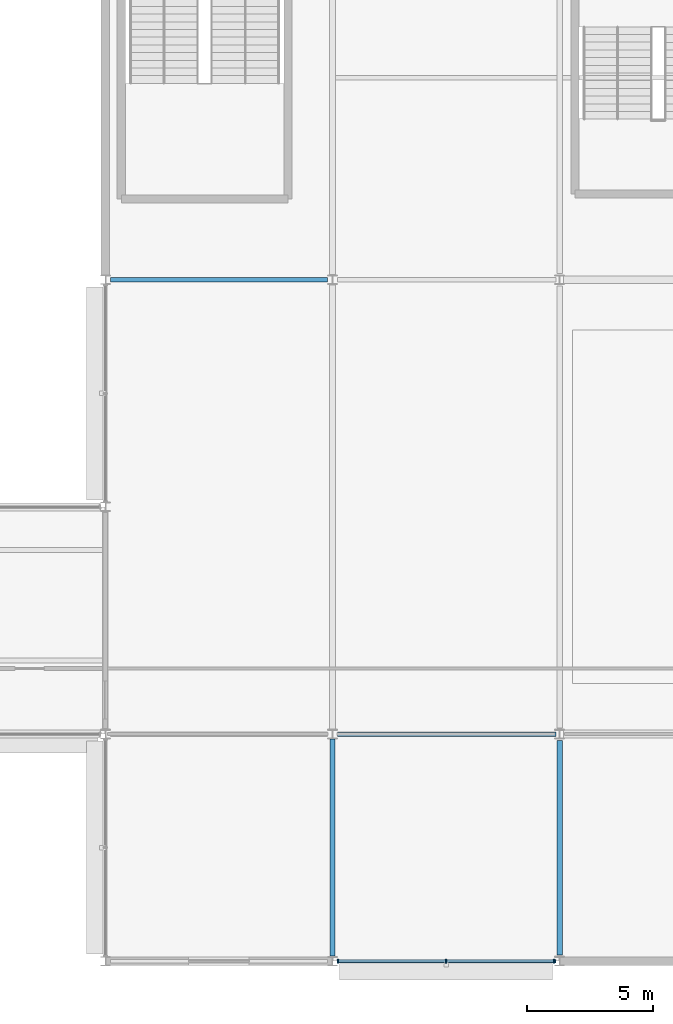
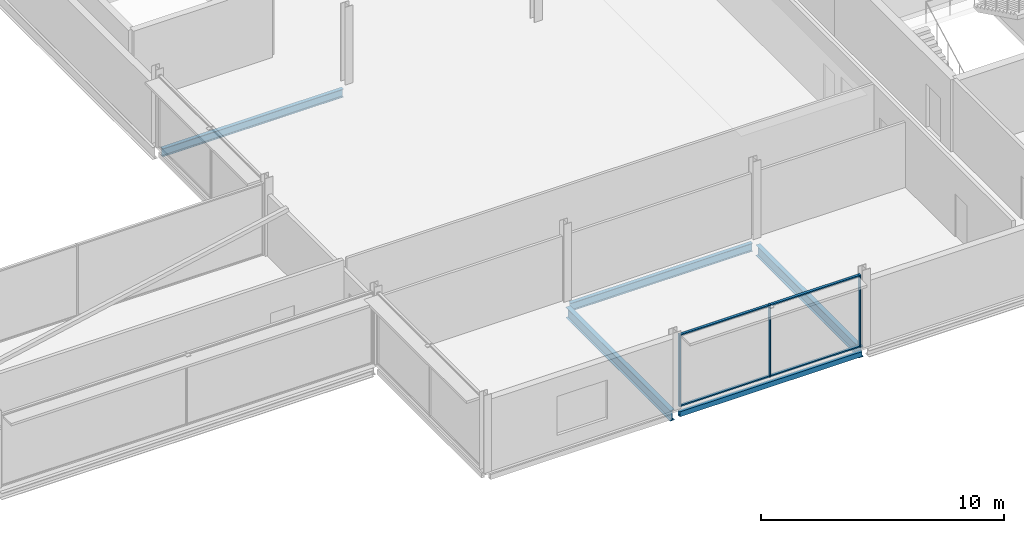
# One storey, part 42 of 98: 7 members, 5 beams, 1 element without a shape of its own.
"""IFC4 building model written with IfcOpenShell, lengths in metres."""

from ifc_helpers import new_model, si_unit, direction, frame, origin, origin_2d, place, context, subcontext, project, spatial, rectangle, hollow_rectangle, i_section, extrude, material, layer, layer_set, material_profile, profile_set, type_object, element, aggregate, save


model = new_model("IFC4")

# Units and contexts
model_context = context("Model", 3, precision=1e-05, world=origin(), true_north=direction((0.0, 1.0)))
body_context = subcontext(model_context, "Body", "Model", "MODEL_VIEW")
ifc_project = project(units=[si_unit("LENGTHUNIT", "METRE"), si_unit("AREAUNIT", "SQUARE_METRE"), si_unit("VOLUMEUNIT", "CUBIC_METRE"), si_unit("PLANEANGLEUNIT", "RADIAN"), si_unit("MASSUNIT", "GRAM", prefix="KILO")], contexts=[model_context])

# Site, building, storey
site_placement = place(None, origin())
site = spatial("IfcSite", under=ifc_project, at=site_placement, CompositionType="ELEMENT")
building_placement = place(site_placement, origin())
building = spatial("IfcBuilding", under=site, at=building_placement, Name="Kisiwana Market Hall", CompositionType="ELEMENT")
storey_placement = place(building_placement, frame((0.0, 0.0, 29.39990234375)))
storey = spatial("IfcBuildingStorey", under=building, at=storey_placement, Name="L06", CompositionType="ELEMENT", Elevation=29.39990234375)

# Beams
ifc_material_1 = material(Name="Steel S355", Category="steel")
ifc_material_profile_1 = material_profile(ifc_material_1, i_section(OverallWidth=0.209228515625, OverallDepth=0.533203125, WebThickness=0.010009765625, FlangeThickness=0.015625, at=origin_2d()), Name="UB 533x210x92")
ifc_profile_set_1 = profile_set([ifc_material_profile_1], Name="Steel S355")
beam_type_1 = type_object("IfcBeamType", Name="BM-GIRD-UB533", PredefinedType="BEAM", material=ifc_profile_set_1)
beam_1_placement = place(storey_placement, frame((162.0, 9.19921875, -0.511474609375), z_axis=(0.0, 1.0, 0.0), x_axis=(-1.0, 0.0, 0.0)))
element("IfcBeam", 1, at=beam_1_placement, inside=storey, type_object=beam_type_1, Name="Primary girder B-1731", PredefinedType="BEAM", context=body_context, shape_type="SweptSolid", body=[
    extrude(i_section(OverallWidth=0.209228515625, OverallDepth=0.533203125, WebThickness=0.010009765625, FlangeThickness=0.015625, at=origin_2d()), origin(), (0.0, 0.0, 1.0), 8.6015625),
])
beam_2_placement = place(storey_placement, frame((171.0, 9.24609375, -0.511474609375), z_axis=(0.0, 1.0, 0.0), x_axis=(-1.0, 0.0, 0.0)))
element("IfcBeam", 2, at=beam_2_placement, inside=storey, type_object=beam_type_1, Name="Primary girder B-1737", PredefinedType="BEAM", context=body_context, shape_type="SweptSolid", body=[
    extrude(i_section(OverallWidth=0.209228515625, OverallDepth=0.533203125, WebThickness=0.010009765625, FlangeThickness=0.015625, at=origin_2d()), origin(), (0.0, 0.0, 1.0), 8.5078125),
])
ifc_material_2 = material(Name="Steel S355", Category="steel")
ifc_material_profile_2 = material_profile(ifc_material_2, i_section(OverallWidth=0.177978515625, OverallDepth=0.406494140625, WebThickness=0.0078125, FlangeThickness=0.0126953125, FilletRadius=0.01025390625, at=origin_2d()), Name="UB 406x178x60")
ifc_profile_set_2 = profile_set([ifc_material_profile_2], Name="Steel S355")
beam_type_2 = type_object("IfcBeamType", Name="BM-JOIST-UB060", PredefinedType="JOIST", material=ifc_profile_set_2)
beam_3_placement = place(storey_placement, frame((153.19921875, 36.0, -0.447998046875), z_axis=(1.0, 0.0, 0.0), x_axis=(0.0, 1.0, 0.0)))
element("IfcBeam", 3, at=beam_3_placement, inside=storey, type_object=beam_type_2, Name="Floor beam B-1807", PredefinedType="JOIST", context=body_context, shape_type="SweptSolid", body=[
    extrude(i_section(OverallWidth=0.177978515625, OverallDepth=0.406494140625, WebThickness=0.0078125, FlangeThickness=0.0126953125, FilletRadius=0.01025390625, at=origin_2d()), origin(), (0.0, 0.0, 1.0), 8.6015625),
])
ifc_material_3 = material(Name="Steel S355", Category="steel")
ifc_material_profile_3 = material_profile(ifc_material_3, i_section(OverallWidth=0.177734375, OverallDepth=0.402587890625, WebThickness=0.0078125, FlangeThickness=0.010986328125, at=origin_2d()), Name="UB 406x178x54")
ifc_profile_set_3 = profile_set([ifc_material_profile_3], Name="Steel S355")
beam_type_3 = type_object("IfcBeamType", Name="BM-JOIST-UB406", PredefinedType="JOIST", material=ifc_profile_set_3)
beam_4_placement = place(storey_placement, frame((162.19921875, 18.0, -0.4462890625), z_axis=(1.0, 0.0, 0.0), x_axis=(0.0, 1.0, 0.0)))
element("IfcBeam", 4, at=beam_4_placement, inside=storey, type_object=beam_type_3, Name="Floor beam B-1794", PredefinedType="JOIST", context=body_context, shape_type="SweptSolid", body=[
    extrude(i_section(OverallWidth=0.177734375, OverallDepth=0.402587890625, WebThickness=0.0078125, FlangeThickness=0.010986328125, at=origin_2d()), origin(), (0.0, 0.0, 1.0), 8.65478515625),
])
ifc_material_4 = material(Name="Steel S355", Category="steel")
ifc_material_profile_4 = material_profile(ifc_material_4, hollow_rectangle(XDim=0.14990234375, YDim=0.25, WallThickness=0.010009765625, at=origin_2d()), Name="RHS 250x150x10.0")
ifc_profile_set_4 = profile_set([ifc_material_profile_4], Name="Steel S355")
beam_type_4 = type_object("IfcBeamType", Name="BM-SPAN-RHS250", PredefinedType="SPANDREL", material=ifc_profile_set_4)
beam_5_placement = place(storey_placement, frame((162.19921875, 9.0, -0.369873046875), z_axis=(1.0, 0.0, 0.0), x_axis=(0.0, 1.0, 0.0)))
element("IfcBeam", 5, at=beam_5_placement, inside=storey, type_object=beam_type_4, Name="Floor beam B-1780", PredefinedType="SPANDREL", context=body_context, shape_type="SweptSolid", body=[
    extrude(hollow_rectangle(XDim=0.14990234375, YDim=0.25, WallThickness=0.010009765625, at=origin_2d()), origin(), (0.0, 0.0, 1.0), 8.65478515625),
])

# Curtain wall, members
ifc_material_5 = material(Name="Double-glazed solar-control low-E IGU", Category="glass")
ifc_layer = layer(ifc_material_5, 0.159912109375)
ifc_layer_set = layer_set([ifc_layer], Name="CW-ZNA-EW-8200")
curtain_wall_type = type_object("IfcCurtainWallType", Name="CW-ZNA-EW-8200", PredefinedType="USERDEFINED", material=ifc_layer_set)
curtain_wall_placement = place(storey_placement, origin())
curtain_wall = element("IfcCurtainWall", 6, at=curtain_wall_placement, inside=storey, type_object=curtain_wall_type, Name="Unitised curtain wall CW-170 (L06)", ObjectType="UNITISED CURTAIN WALL", PredefinedType="USERDEFINED")
ifc_material_6 = material(Name="Aluminium alloy 6063-T6", Category="aluminium")
ifc_material_profile_5 = material_profile(ifc_material_6, rectangle(XDim=0.06005859375, YDim=0.159912109375, at=origin_2d()), Name="ALU MULLION 60x160")
ifc_profile_set_5 = profile_set([ifc_material_profile_5], Name="Aluminium alloy 6063-T6")
member_type_1 = type_object("IfcMemberType", Name="CW-MULL-60x160", PredefinedType="MULLION", material=ifc_profile_set_5)
member_1_placement = place(storey_placement, frame((162.215087890625, 9.0, 0.0), z_axis=(0.0, 0.0, 1.0), x_axis=(1.0, 0.0, 0.0)))
member_1 = element("IfcMember", 7, at=member_1_placement, type_object=member_type_1, Name="CW-170 mullion 1", PredefinedType="MULLION", context=body_context, shape_type="SweptSolid", body=[
    extrude(rectangle(XDim=0.06005859375, YDim=0.159912109375, at=origin_2d()), origin(), (0.0, 0.0, 1.0), 3.6201171875),
])
member_2_placement = place(storey_placement, frame((166.498779296875, 9.0, 0.0), z_axis=(0.0, 0.0, 1.0), x_axis=(1.0, 0.0, 0.0)))
member_2 = element("IfcMember", 8, at=member_2_placement, type_object=member_type_1, Name="CW-170 mullion 2", PredefinedType="MULLION", context=body_context, shape_type="SweptSolid", body=[
    extrude(rectangle(XDim=0.06005859375, YDim=0.159912109375, at=origin_2d()), origin(), (0.0, 0.0, 1.0), 3.6201171875),
])
member_3_placement = place(storey_placement, frame((170.78271484375, 9.0, 0.0), z_axis=(0.0, 0.0, 1.0), x_axis=(1.0, 0.0, 0.0)))
member_3 = element("IfcMember", 9, at=member_3_placement, type_object=member_type_1, Name="CW-170 mullion 3", PredefinedType="MULLION", context=body_context, shape_type="SweptSolid", body=[
    extrude(rectangle(XDim=0.06005859375, YDim=0.159912109375, at=origin_2d()), origin(), (0.0, 0.0, 1.0), 3.6201171875),
])
ifc_material_7 = material(Name="Aluminium alloy 6063-T6", Category="aluminium")
ifc_material_profile_6 = material_profile(ifc_material_7, rectangle(XDim=0.1201171875, YDim=0.06005859375, at=origin_2d()), Name="ALU TRANSOM 60x120")
ifc_profile_set_6 = profile_set([ifc_material_profile_6], Name="Aluminium alloy 6063-T6")
member_type_2 = type_object("IfcMemberType", Name="CW-TRAN-60x120", PredefinedType="USERDEFINED", material=ifc_profile_set_6)
member_4_placement = place(storey_placement, frame((162.2451171875, 9.0, 0.030029296875), z_axis=(1.0, 0.0, 0.0), x_axis=(0.0, 1.0, 0.0)))
member_4 = element("IfcMember", 10, at=member_4_placement, type_object=member_type_2, Name="CW-170 transom 1.1", ObjectType="TRANSOM", PredefinedType="USERDEFINED", context=body_context, shape_type="SweptSolid", body=[
    extrude(rectangle(XDim=0.1201171875, YDim=0.06005859375, at=origin_2d()), origin(), (0.0, 0.0, 1.0), 4.223876953125),
])
member_5_placement = place(storey_placement, frame((162.2451171875, 9.0, 3.590087890625), z_axis=(1.0, 0.0, 0.0), x_axis=(0.0, 1.0, 0.0)))
member_5 = element("IfcMember", 11, at=member_5_placement, type_object=member_type_2, Name="CW-170 transom 1.2", ObjectType="TRANSOM", PredefinedType="USERDEFINED", context=body_context, shape_type="SweptSolid", body=[
    extrude(rectangle(XDim=0.1201171875, YDim=0.06005859375, at=origin_2d()), origin(), (0.0, 0.0, 1.0), 4.223876953125),
])
member_6_placement = place(storey_placement, frame((166.52880859375, 9.0, 0.030029296875), z_axis=(1.0, 0.0, 0.0), x_axis=(0.0, 1.0, 0.0)))
member_6 = element("IfcMember", 12, at=member_6_placement, type_object=member_type_2, Name="CW-170 transom 2.1", ObjectType="TRANSOM", PredefinedType="USERDEFINED", context=body_context, shape_type="SweptSolid", body=[
    extrude(rectangle(XDim=0.1201171875, YDim=0.06005859375, at=origin_2d()), origin(), (0.0, 0.0, 1.0), 4.223876953125),
])
member_7_placement = place(storey_placement, frame((166.52880859375, 9.0, 3.590087890625), z_axis=(1.0, 0.0, 0.0), x_axis=(0.0, 1.0, 0.0)))
member_7 = element("IfcMember", 13, at=member_7_placement, type_object=member_type_2, Name="CW-170 transom 2.2", ObjectType="TRANSOM", PredefinedType="USERDEFINED", context=body_context, shape_type="SweptSolid", body=[
    extrude(rectangle(XDim=0.1201171875, YDim=0.06005859375, at=origin_2d()), origin(), (0.0, 0.0, 1.0), 4.223876953125),
])
aggregate(curtain_wall, [member_1, member_2, member_3, member_4, member_5, member_6, member_7])

save(model, "model.ifc")
